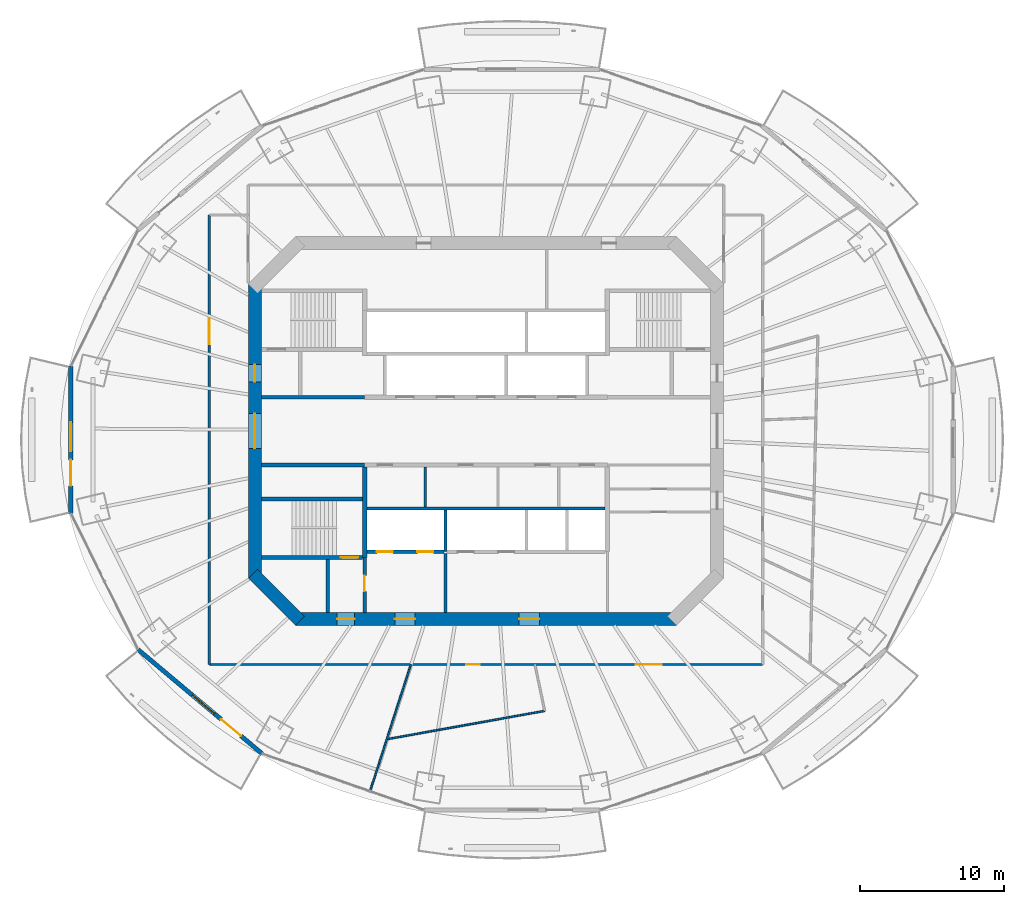
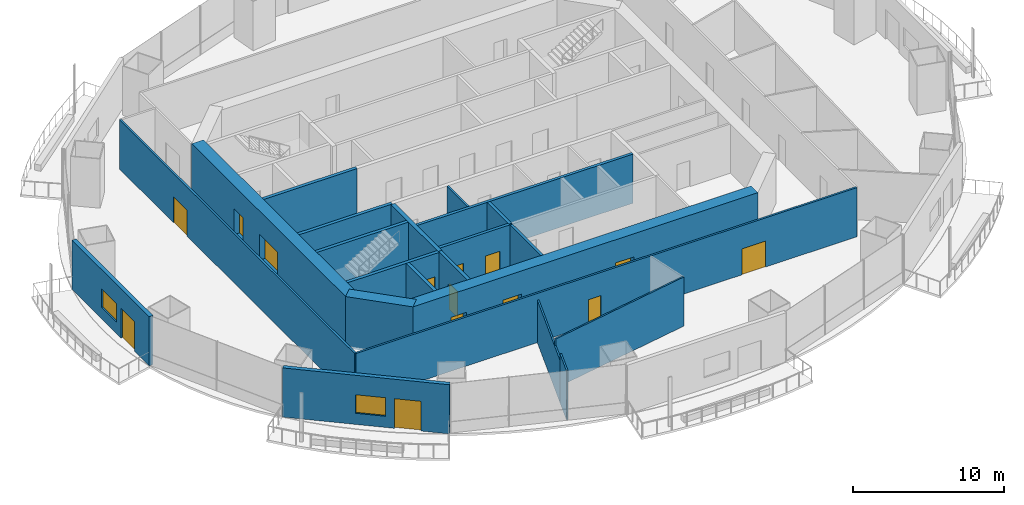
# One storey, part 11 of 20: 22 walls, 14 doors, 2 windows, 16 openings.
"""IFC4 building model written with IfcOpenShell, lengths in metres."""

from ifc_helpers import new_model, si_unit, direction, frame, frame_2d, origin, place, context, subcontext, project, spatial, rectangle, extrude, material, layer, layer_set, type_object, element, fill, save


model = new_model("IFC4")

# Units and contexts
model_context = context("Model", 3, precision=1e-05, world=origin(), true_north=direction((0.0, 1.0)))
body_context = subcontext(model_context, "Body", "Model", "MODEL_VIEW")
ifc_project = project(units=[si_unit("LENGTHUNIT", "METRE"), si_unit("AREAUNIT", "SQUARE_METRE"), si_unit("VOLUMEUNIT", "CUBIC_METRE"), si_unit("PLANEANGLEUNIT", "RADIAN"), si_unit("MASSUNIT", "GRAM", prefix="KILO")], contexts=[model_context])

# Site, building, storey
site_placement = place(None, origin())
site = spatial("IfcSite", under=ifc_project, at=site_placement, CompositionType="ELEMENT")
building_placement = place(site_placement, origin())
building = spatial("IfcBuilding", under=site, at=building_placement, Name="Marenthal Gate Tower", CompositionType="ELEMENT")
storey_placement = place(building_placement, frame((0.0, 0.0, 219.14990234375)))
storey = spatial("IfcBuildingStorey", under=building, at=storey_placement, Name="L48", CompositionType="ELEMENT", Elevation=219.14990234375)

# Wall, openings, doors
ifc_material_1 = material(Name="Concrete 60 MPa", Category="concrete")
ifc_layer_1 = layer(ifc_material_1, 0.89990234375)
ifc_layer_set_1 = layer_set([ifc_layer_1], Name="Core shear wall 900")
wall_type_1 = type_object("IfcWallType", Name="Core shear wall 900", PredefinedType="SHEAR", material=ifc_layer_set_1)
wall_1_placement = place(storey_placement, frame((-16.0, 10.186279296875, -0.179931640625), z_axis=(0.0, 0.0, 1.0), x_axis=(0.0, -1.0, 0.0)))
wall_1 = element("IfcWall", 1, at=wall_1_placement, inside=storey, type_object=wall_type_1, Name="Core wall 06", PredefinedType="SHEAR", context=body_context, shape_type="SweptSolid", body=[
    extrude(rectangle(XDim=20.37255859375, YDim=0.89990234375, at=frame_2d((10.186279296875, 0.0))), origin(), (0.0, 0.0, 1.0), 4.150146484375),
])
opening_1_placement = place(wall_1_placement, frame((8.986328125, 0.0, 0.179931640625)))
opening_1 = element("IfcOpeningElement", 2, at=opening_1_placement, cuts=wall_1, Name="Opening D003.01", PredefinedType="OPENING", context=body_context, shape_type="SweptSolid", body=[
    extrude(rectangle(XDim=2.39990234375, YDim=2.10009765625, at=frame_2d((1.199951171875, 1.050048828125))), frame((0.0, 0.4599609375, 0.0), z_axis=(0.0, -1.0, 0.0), x_axis=(1.0, 0.0, 0.0)), (0.0, 0.0, 1.0), 0.919921875),
])
opening_2_placement = place(wall_1_placement, frame((5.58642578125, 0.0, 0.179931640625)))
opening_2 = element("IfcOpeningElement", 3, at=opening_2_placement, cuts=wall_1, Name="Opening D001.04", PredefinedType="OPENING", context=body_context, shape_type="SweptSolid", body=[
    extrude(rectangle(XDim=1.199951171875, YDim=2.10009765625, at=frame_2d((0.60009765625, 1.050048828125))), frame((0.0, 0.4599609375, 0.0), z_axis=(0.0, -1.0, 0.0), x_axis=(1.0, 0.0, 0.0)), (0.0, 0.0, 1.0), 0.919921875),
])
ifc_material_2 = material(Name="Steel fire door", Category="steel")
door_type_1 = type_object("IfcDoorType", Name="Double fire door FD 45 2400 x 2100", OperationType="DOUBLE_DOOR_SINGLE_SWING", PredefinedType="DOOR", material=ifc_material_2)
door_1_placement = place(opening_1_placement, origin())
door_1 = element("IfcDoor", 4, at=door_1_placement, inside=storey, type_object=door_type_1, Name="Door D003.01", OperationType="DOUBLE_DOOR_SINGLE_SWING", OverallHeight=2.10009765625, OverallWidth=2.39990234375, PredefinedType="DOOR", context=body_context, shape_type="SweptSolid", body=[
    extrude(rectangle(XDim=2.39990234375, YDim=2.10009765625, at=frame_2d((1.199951171875, 1.050048828125))), frame((0.0, 0.02490234375, 0.0), z_axis=(0.0, -1.0, 0.0), x_axis=(1.0, 0.0, 0.0)), (0.0, 0.0, 1.0), 0.050048828125),
])
fill(opening_1, door_1)
ifc_material_3 = material(Name="Steel fire door", Category="steel")
door_type_2 = type_object("IfcDoorType", Name="Fire door FD 90 1200 x 2100", OperationType="NOTDEFINED", PredefinedType="DOOR", material=ifc_material_3)
door_2_placement = place(opening_2_placement, origin())
door_2 = element("IfcDoor", 5, at=door_2_placement, inside=storey, type_object=door_type_2, Name="Door D001.04", OperationType="SINGLE_SWING_RIGHT", OverallHeight=2.10009765625, OverallWidth=1.199951171875, PredefinedType="DOOR", context=body_context, shape_type="SweptSolid", body=[
    extrude(rectangle(XDim=1.199951171875, YDim=2.10009765625, at=frame_2d((0.60009765625, 1.050048828125))), frame((0.0, 0.02490234375, 0.0), z_axis=(0.0, -1.0, 0.0), x_axis=(1.0, 0.0, 0.0)), (0.0, 0.0, 1.0), 0.050048828125),
])
fill(opening_2, door_2)

# Wall
wall_2_placement = place(storey_placement, frame((-16.1318359375, -9.8681640625, -0.179931640625), z_axis=(0.0, 0.0, 1.0), x_axis=(0.707106781187, -0.707106781187, 0.0)))
element("IfcWall", 6, at=wall_2_placement, inside=storey, type_object=wall_type_1, Name="Core wall 07", PredefinedType="SHEAR", context=body_context, shape_type="SweptSolid", body=[
    extrude(rectangle(XDim=4.615478515625, YDim=0.89990234375, at=frame_2d((2.3076171875, 0.0))), origin(), (0.0, 0.0, 1.0), 4.150146484375),
])

# Wall, openings, doors
wall_3_placement = place(storey_placement, frame((-13.186279296875, -13.0, -0.179931640625), z_axis=(0.0, 0.0, 1.0), x_axis=(1.0, 0.0, 0.0)))
wall_3 = element("IfcWall", 7, at=wall_3_placement, inside=storey, type_object=wall_type_1, Name="Core wall 08", PredefinedType="SHEAR", context=body_context, shape_type="SweptSolid", body=[
    extrude(rectangle(XDim=26.37255859375, YDim=0.89990234375, at=frame_2d((13.186279296875, 0.0))), origin(), (0.0, 0.0, 1.0), 4.150146484375),
])
opening_3_placement = place(wall_3_placement, frame((2.886474609375, 0.0, 0.179931640625)))
opening_3 = element("IfcOpeningElement", 8, at=opening_3_placement, cuts=wall_3, Name="Opening D001.06", PredefinedType="OPENING", context=body_context, shape_type="SweptSolid", body=[
    extrude(rectangle(XDim=1.199951171875, YDim=2.10009765625, at=frame_2d((0.60009765625, 1.050048828125))), frame((0.0, 0.4599609375, 0.0), z_axis=(0.0, -1.0, 0.0), x_axis=(1.0, 0.0, 0.0)), (0.0, 0.0, 1.0), 0.919921875),
])
opening_4_placement = place(wall_3_placement, frame((6.886474609375, 0.0, 0.179931640625)))
opening_4 = element("IfcOpeningElement", 9, at=opening_4_placement, cuts=wall_3, Name="Opening D004.01", PredefinedType="OPENING", context=body_context, shape_type="SweptSolid", body=[
    extrude(rectangle(XDim=1.39990234375, YDim=2.10009765625, at=frame_2d((0.699951171875, 1.050048828125))), frame((0.0, 0.4599609375, 0.0), z_axis=(0.0, -1.0, 0.0), x_axis=(1.0, 0.0, 0.0)), (0.0, 0.0, 1.0), 0.919921875),
])
opening_5_placement = place(wall_3_placement, frame((15.486328125, 0.0, 0.179931640625)))
opening_5 = element("IfcOpeningElement", 10, at=opening_5_placement, cuts=wall_3, Name="Opening D004.02", PredefinedType="OPENING", context=body_context, shape_type="SweptSolid", body=[
    extrude(rectangle(XDim=1.39990234375, YDim=2.10009765625, at=frame_2d((0.699951171875, 1.050048828125))), frame((0.0, 0.4599609375, 0.0), z_axis=(0.0, -1.0, 0.0), x_axis=(1.0, 0.0, 0.0)), (0.0, 0.0, 1.0), 0.919921875),
])
ifc_material_4 = material(Name="Steel fire door", Category="steel")
door_type_3 = type_object("IfcDoorType", Name="Fire door FD 45 1400 x 2100", OperationType="NOTDEFINED", PredefinedType="DOOR", material=ifc_material_4)
door_3_placement = place(opening_4_placement, origin())
door_3 = element("IfcDoor", 11, at=door_3_placement, inside=storey, type_object=door_type_3, Name="Door D004.01", OperationType="SINGLE_SWING_RIGHT", OverallHeight=2.10009765625, OverallWidth=1.39990234375, PredefinedType="DOOR", context=body_context, shape_type="SweptSolid", body=[
    extrude(rectangle(XDim=1.39990234375, YDim=2.10009765625, at=frame_2d((0.699951171875, 1.050048828125))), frame((0.0, 0.02490234375, 0.0), z_axis=(0.0, -1.0, 0.0), x_axis=(1.0, 0.0, 0.0)), (0.0, 0.0, 1.0), 0.050048828125),
])
fill(opening_4, door_3)
door_4_placement = place(opening_5_placement, origin())
door_4 = element("IfcDoor", 12, at=door_4_placement, inside=storey, type_object=door_type_3, Name="Door D004.02", OperationType="SINGLE_SWING_RIGHT", OverallHeight=2.10009765625, OverallWidth=1.39990234375, PredefinedType="DOOR", context=body_context, shape_type="SweptSolid", body=[
    extrude(rectangle(XDim=1.39990234375, YDim=2.10009765625, at=frame_2d((0.699951171875, 1.050048828125))), frame((0.0, 0.02490234375, 0.0), z_axis=(0.0, -1.0, 0.0), x_axis=(1.0, 0.0, 0.0)), (0.0, 0.0, 1.0), 0.050048828125),
])
fill(opening_5, door_4)
door_5_placement = place(opening_3_placement, origin())
door_5 = element("IfcDoor", 13, at=door_5_placement, inside=storey, type_object=door_type_2, Name="Door D001.06", OperationType="SINGLE_SWING_RIGHT", OverallHeight=2.10009765625, OverallWidth=1.199951171875, PredefinedType="DOOR", context=body_context, shape_type="SweptSolid", body=[
    extrude(rectangle(XDim=1.199951171875, YDim=2.10009765625, at=frame_2d((0.60009765625, 1.050048828125))), frame((0.0, 0.02490234375, 0.0), z_axis=(0.0, -1.0, 0.0), x_axis=(1.0, 0.0, 0.0)), (0.0, 0.0, 1.0), 0.050048828125),
])
fill(opening_3, door_5)

# Walls
ifc_material_5 = material(Name="Gypsum board on steel studs", Category="steel")
ifc_layer_2 = layer(ifc_material_5, 0.199951171875)
ifc_layer_set_2 = layer_set([ifc_layer_2], Name="Fire lobby wall 200")
wall_type_2 = type_object("IfcWallType", Name="Fire lobby wall 200", PredefinedType="PARTITIONING", material=ifc_layer_set_2)
wall_4_placement = place(storey_placement, frame((-2.800048828125, -12.550048828125, 0.0), z_axis=(0.0, 0.0, 1.0), x_axis=(0.0, 1.0, 0.0)))
element("IfcWall", 14, at=wall_4_placement, inside=storey, type_object=wall_type_2, Name="Fire wall 36", PredefinedType="PARTITIONING", context=body_context, shape_type="SweptSolid", body=[
    extrude(rectangle(XDim=4.090087890625, YDim=0.199951171875, at=frame_2d((2.044921875, 0.0))), origin(), (0.0, 0.0, 1.0), 3.97021484375),
])
ifc_material_6 = material(Name="Concrete 50 MPa", Category="concrete")
ifc_layer_3 = layer(ifc_material_6, 0.300048828125)
ifc_layer_set_3 = layer_set([ifc_layer_3], Name="Hoistway shear wall 300")
wall_type_3 = type_object("IfcWallType", Name="Hoistway shear wall 300", PredefinedType="SHEAR", material=ifc_layer_set_3)
wall_5_placement = place(storey_placement, frame((-8.39990234375, -8.75, -0.179931640625), z_axis=(0.0, 0.0, 1.0), x_axis=(0.0, 1.0, 0.0)))
element("IfcWall", 15, at=wall_5_placement, inside=storey, type_object=wall_type_3, Name="Hoistway wall 31", PredefinedType="SHEAR", context=body_context, shape_type="SweptSolid", body=[
    extrude(rectangle(XDim=6.25, YDim=0.300048828125, at=frame_2d((3.125, 0.0))), origin(), (0.0, 0.0, 1.0), 4.150146484375),
])

# Wall, openings, doors
ifc_material_7 = material(Name="Concrete 40 MPa", Category="concrete")
ifc_layer_4 = layer(ifc_material_7, 0.219970703125)
ifc_layer_set_4 = layer_set([ifc_layer_4], Name="Hoistway wall 220")
wall_type_4 = type_object("IfcWallType", Name="Hoistway wall 220", PredefinedType="STANDARD", material=ifc_layer_set_4)
wall_6_placement = place(storey_placement, frame((-8.25, -8.35009765625, 0.0), z_axis=(0.0, 0.0, 1.0), x_axis=(1.0, 0.0, 0.0)))
wall_6 = element("IfcWall", 16, at=wall_6_placement, inside=storey, type_object=wall_type_4, Name="Hoistway wall 10", PredefinedType="STANDARD", context=body_context, shape_type="SweptSolid", body=[
    extrude(rectangle(XDim=5.340087890625, YDim=0.219970703125, at=frame_2d((2.669921875, 0.0))), origin(), (0.0, 0.0, 1.0), 3.97021484375),
])
opening_6_placement = place(wall_6_placement, frame((0.699951171875, 0.0, 0.0)))
opening_6 = element("IfcOpeningElement", 17, at=opening_6_placement, cuts=wall_6, Name="Opening LD-LF1", PredefinedType="OPENING", context=body_context, shape_type="SweptSolid", body=[
    extrude(rectangle(XDim=1.10009765625, YDim=2.10009765625, at=frame_2d((0.550048828125, 1.050048828125))), frame((0.0, 0.1201171875, 0.0), z_axis=(0.0, -1.0, 0.0), x_axis=(1.0, 0.0, 0.0)), (0.0, 0.0, 1.0), 0.239990234375),
])
opening_7_placement = place(wall_6_placement, frame((3.5, 0.0, 0.0)))
opening_7 = element("IfcOpeningElement", 18, at=opening_7_placement, cuts=wall_6, Name="Opening LD-LF2", PredefinedType="OPENING", context=body_context, shape_type="SweptSolid", body=[
    extrude(rectangle(XDim=1.10009765625, YDim=2.10009765625, at=frame_2d((0.550048828125, 1.050048828125))), frame((0.0, 0.1201171875, 0.0), z_axis=(0.0, -1.0, 0.0), x_axis=(1.0, 0.0, 0.0)), (0.0, 0.0, 1.0), 0.239990234375),
])
ifc_material_8 = material(Name="Stainless steel sliding door", Category="steel")
door_type_4 = type_object("IfcDoorType", Name="Lift landing door FD 90 1100 x 2100", OperationType="DOUBLE_DOOR_SLIDING", PredefinedType="DOOR", material=ifc_material_8)
door_6_placement = place(opening_6_placement, origin())
door_6 = element("IfcDoor", 19, at=door_6_placement, inside=storey, type_object=door_type_4, Name="Lift landing door LF1", OperationType="DOUBLE_DOOR_SLIDING", OverallHeight=2.10009765625, OverallWidth=1.10009765625, PredefinedType="DOOR", context=body_context, shape_type="SweptSolid", body=[
    extrude(rectangle(XDim=1.10009765625, YDim=2.10009765625, at=frame_2d((0.550048828125, 1.050048828125))), frame((0.0, 0.02490234375, 0.0), z_axis=(0.0, -1.0, 0.0), x_axis=(1.0, 0.0, 0.0)), (0.0, 0.0, 1.0), 0.050048828125),
])
fill(opening_6, door_6)
door_7_placement = place(opening_7_placement, origin())
door_7 = element("IfcDoor", 20, at=door_7_placement, inside=storey, type_object=door_type_4, Name="Lift landing door LF2", OperationType="DOUBLE_DOOR_SLIDING", OverallHeight=2.10009765625, OverallWidth=1.10009765625, PredefinedType="DOOR", context=body_context, shape_type="SweptSolid", body=[
    extrude(rectangle(XDim=1.10009765625, YDim=2.10009765625, at=frame_2d((0.550048828125, 1.050048828125))), frame((0.0, 0.02490234375, 0.0), z_axis=(0.0, -1.0, 0.0), x_axis=(1.0, 0.0, 0.0)), (0.0, 0.0, 1.0), 0.050048828125),
])
fill(opening_7, door_7)

# Walls
wall_7_placement = place(storey_placement, frame((-8.25, -5.35009765625, 0.0), z_axis=(0.0, 0.0, 1.0), x_axis=(1.0, 0.0, 0.0)))
element("IfcWall", 21, at=wall_7_placement, inside=storey, type_object=wall_type_4, Name="Hoistway wall 13", PredefinedType="STANDARD", context=body_context, shape_type="SweptSolid", body=[
    extrude(rectangle(XDim=16.5, YDim=0.219970703125, at=frame_2d((8.25, 0.0))), origin(), (0.0, 0.0, 1.0), 3.97021484375),
])
wall_8_placement = place(storey_placement, frame((-2.800048828125, -8.35009765625, 0.0), z_axis=(0.0, 0.0, 1.0), x_axis=(0.0, 1.0, 0.0)))
element("IfcWall", 22, at=wall_8_placement, inside=storey, type_object=wall_type_4, Name="Hoistway wall 37", PredefinedType="STANDARD", context=body_context, shape_type="SweptSolid", body=[
    extrude(rectangle(XDim=2.89013671875, YDim=0.219970703125, at=frame_2d((1.445068359375, 0.0))), origin(), (0.0, 0.0, 1.0), 3.97021484375),
])
ifc_material_9 = material(Name="Gypsum board on steel studs", Category="steel")
ifc_layer_5 = layer(ifc_material_9, 0.1201171875)
ifc_layer_set_5 = layer_set([ifc_layer_5], Name="Partition 120")
wall_type_5 = type_object("IfcWallType", Name="Partition 120", PredefinedType="PARTITIONING", material=ifc_layer_set_5)
wall_9_placement = place(storey_placement, frame((-6.865234375, -21.32666015625, 0.0), z_axis=(0.0, 0.0, 1.0), x_axis=(0.984270324464, 0.176668979676, 0.0)))
element("IfcWall", 23, at=wall_9_placement, inside=storey, type_object=wall_type_5, Name="Partition wall 55", PredefinedType="PARTITIONING", context=body_context, shape_type="SweptSolid", body=[
    extrude(rectangle(XDim=11.100830078125, YDim=0.1201171875, at=frame_2d((5.55029296875, 0.0))), origin(), (0.0, 0.0, 1.0), 3.97021484375),
])
wall_10_placement = place(storey_placement, frame((-5.19873046875, -16.14990234375, 0.0), z_axis=(0.0, 0.0, 1.0), x_axis=(-0.306425554828, -0.951894626179, 0.0)))
element("IfcWall", 24, at=wall_10_placement, inside=storey, type_object=wall_type_5, Name="Partition wall 56", PredefinedType="PARTITIONING", context=body_context, shape_type="SweptSolid", body=[
    extrude(rectangle(XDim=7.19287109375, YDim=0.1201171875, at=frame_2d((3.596435546875, 0.0))), origin(), (0.0, 0.0, 1.0), 3.43408203125),
])
wall_11_placement = place(storey_placement, frame((-7.40283203125, -22.996826171875, 0.0), z_axis=(0.0, 0.0, 1.0), x_axis=(-0.306407294312, -0.95190050425, 0.0)))
element("IfcWall", 25, at=wall_11_placement, inside=storey, type_object=wall_type_5, Name="Partition wall 69", PredefinedType="PARTITIONING", context=body_context, shape_type="SweptSolid", body=[
    extrude(rectangle(XDim=2.024658203125, YDim=0.1201171875, at=frame_2d((1.01220703125, 0.0))), origin(), (0.0, 0.0, 1.0), 3.97021484375),
])
ifc_material_10 = material(Name="Gypsum board on steel studs", Category="steel")
ifc_layer_6 = layer(ifc_material_10, 0.14990234375)
ifc_layer_set_6 = layer_set([ifc_layer_6], Name="Partition 150")
wall_type_6 = type_object("IfcWallType", Name="Partition 150", PredefinedType="PARTITIONING", material=ifc_layer_set_6)
wall_12_placement = place(storey_placement, frame((-4.199951171875, -5.239990234375, 0.0), z_axis=(0.0, 0.0, 1.0), x_axis=(0.0, 1.0, 0.0)))
element("IfcWall", 26, at=wall_12_placement, inside=storey, type_object=wall_type_6, Name="Partition wall 35", PredefinedType="PARTITIONING", context=body_context, shape_type="SweptSolid", body=[
    extrude(rectangle(XDim=2.739990234375, YDim=0.14990234375, at=frame_2d((1.3701171875, 0.0))), origin(), (0.0, 0.0, 1.0), 3.97021484375),
])

# Wall, opening, door
wall_13_placement = place(storey_placement, frame((-19.14990234375, -16.14990234375, 0.0), z_axis=(0.0, 0.0, 1.0), x_axis=(0.0, 1.0, 0.0)))
wall_13 = element("IfcWall", 27, at=wall_13_placement, inside=storey, type_object=wall_type_6, Name="Partition wall 51", PredefinedType="PARTITIONING", context=body_context, shape_type="SweptSolid", body=[
    extrude(rectangle(XDim=31.114013671875, YDim=0.14990234375, at=frame_2d((15.55712890625, 0.0))), origin(), (0.0, 0.0, 1.0), 3.97021484375),
])
opening_8_placement = place(wall_13_placement, frame((22.166015625, 0.0, 0.0)))
opening_8 = element("IfcOpeningElement", 28, at=opening_8_placement, cuts=wall_13, Name="Opening D014.01", PredefinedType="OPENING", context=body_context, shape_type="SweptSolid", body=[
    extrude(rectangle(XDim=1.800048828125, YDim=2.10009765625, at=frame_2d((0.89990234375, 1.050048828125))), frame((0.0, 0.0849609375, 0.0), z_axis=(0.0, -1.0, 0.0), x_axis=(1.0, 0.0, 0.0)), (0.0, 0.0, 1.0), 0.169921875),
])
ifc_material_11 = material(Name="Timber door", Category="wood")
door_type_5 = type_object("IfcDoorType", Name="Double door 1800 x 2100", OperationType="DOUBLE_DOOR_SINGLE_SWING", PredefinedType="DOOR", material=ifc_material_11)
door_8_placement = place(opening_8_placement, origin())
door_8 = element("IfcDoor", 29, at=door_8_placement, inside=storey, type_object=door_type_5, Name="Door D014.01", OperationType="DOUBLE_DOOR_SINGLE_SWING", OverallHeight=2.10009765625, OverallWidth=1.800048828125, PredefinedType="DOOR", context=body_context, shape_type="SweptSolid", body=[
    extrude(rectangle(XDim=1.800048828125, YDim=2.10009765625, at=frame_2d((0.89990234375, 1.050048828125))), frame((0.0, 0.02490234375, 0.0), z_axis=(0.0, -1.0, 0.0), x_axis=(1.0, 0.0, 0.0)), (0.0, 0.0, 1.0), 0.050048828125),
])
fill(opening_8, door_8)

# Wall, openings, doors
wall_14_placement = place(storey_placement, frame((19.14990234375, -16.14990234375, 0.0), z_axis=(0.0, 0.0, 1.0), x_axis=(-1.0, 0.0, 0.0)))
wall_14 = element("IfcWall", 30, at=wall_14_placement, inside=storey, type_object=wall_type_6, Name="Partition wall 60", PredefinedType="PARTITIONING", context=body_context, shape_type="SweptSolid", body=[
    extrude(rectangle(XDim=38.2998046875, YDim=0.14990234375, at=frame_2d((19.14990234375, 0.0))), origin(), (0.0, 0.0, 1.0), 3.97021484375),
])
opening_9_placement = place(wall_14_placement, frame((19.5810546875, 0.0, 0.0)))
opening_9 = element("IfcOpeningElement", 31, at=opening_9_placement, cuts=wall_14, Name="Opening D016.01", PredefinedType="OPENING", context=body_context, shape_type="SweptSolid", body=[
    extrude(rectangle(XDim=0.949951171875, YDim=2.10009765625, at=frame_2d((0.47509765625, 1.050048828125))), frame((0.0, 0.0849609375, 0.0), z_axis=(0.0, -1.0, 0.0), x_axis=(1.0, 0.0, 0.0)), (0.0, 0.0, 1.0), 0.169921875),
])
opening_10_placement = place(wall_14_placement, frame((6.98095703125, 0.0, 0.0)))
opening_10 = element("IfcOpeningElement", 32, at=opening_10_placement, cuts=wall_14, Name="Opening D014.02", PredefinedType="OPENING", context=body_context, shape_type="SweptSolid", body=[
    extrude(rectangle(XDim=1.800048828125, YDim=2.10009765625, at=frame_2d((0.89990234375, 1.050048828125))), frame((0.0, 0.0849609375, 0.0), z_axis=(0.0, -1.0, 0.0), x_axis=(1.0, 0.0, 0.0)), (0.0, 0.0, 1.0), 0.169921875),
])
ifc_material_12 = material(Name="Timber door", Category="wood")
door_type_6 = type_object("IfcDoorType", Name="Door 950 x 2100", OperationType="NOTDEFINED", PredefinedType="DOOR", material=ifc_material_12)
door_9_placement = place(opening_9_placement, origin())
door_9 = element("IfcDoor", 33, at=door_9_placement, inside=storey, type_object=door_type_6, Name="Door D016.01", OperationType="SINGLE_SWING_RIGHT", OverallHeight=2.10009765625, OverallWidth=0.949951171875, PredefinedType="DOOR", context=body_context, shape_type="SweptSolid", body=[
    extrude(rectangle(XDim=0.949951171875, YDim=2.10009765625, at=frame_2d((0.47509765625, 1.050048828125))), frame((0.0, 0.02490234375, 0.0), z_axis=(0.0, -1.0, 0.0), x_axis=(1.0, 0.0, 0.0)), (0.0, 0.0, 1.0), 0.050048828125),
])
fill(opening_9, door_9)
door_10_placement = place(opening_10_placement, origin())
door_10 = element("IfcDoor", 34, at=door_10_placement, inside=storey, type_object=door_type_5, Name="Door D014.02", OperationType="DOUBLE_DOOR_SINGLE_SWING", OverallHeight=2.10009765625, OverallWidth=1.800048828125, PredefinedType="DOOR", context=body_context, shape_type="SweptSolid", body=[
    extrude(rectangle(XDim=1.800048828125, YDim=2.10009765625, at=frame_2d((0.89990234375, 1.050048828125))), frame((0.0, 0.02490234375, 0.0), z_axis=(0.0, -1.0, 0.0), x_axis=(1.0, 0.0, 0.0)), (0.0, 0.0, 1.0), 0.050048828125),
])
fill(opening_10, door_10)

# Walls
ifc_material_13 = material(Name="Concrete 40 MPa", Category="concrete")
ifc_layer_7 = layer(ifc_material_13, 0.25)
ifc_layer_set_7 = layer_set([ifc_layer_7], Name="Stair enclosure wall 250")
wall_type_7 = type_object("IfcWallType", Name="Stair enclosure wall 250", PredefinedType="STANDARD", material=ifc_layer_set_7)
for number, where, z_axis, x_axis, name in (
    (35, (-15.550048828125, -2.35009765625, 0.0), (0.0, 0.0, 1.0), (1.0, 0.0, 0.0), "Stair wall 16"),
    (36, (-15.550048828125, 2.35009765625, 0.0), (0.0, 0.0, 1.0), (1.0, 0.0, 0.0), "Stair wall 19"),
):
    element("IfcWall", number, at=place(storey_placement, frame(where, z_axis=z_axis, x_axis=x_axis)), inside=storey, type_object=wall_type_7, Name=name, PredefinedType="STANDARD", context=body_context, shape_type="SweptSolid", body=[
        extrude(rectangle(XDim=7.150146484375, YDim=0.25, at=frame_2d((3.5751953125, 0.0))), origin(), (0.0, 0.0, 1.0), 3.97021484375),
    ])
wall_15_placement = place(storey_placement, frame((-10.949951171875, -12.550048828125, 0.0), z_axis=(0.0, 0.0, 1.0), x_axis=(0.0, 1.0, 0.0)))
element("IfcWall", 37, at=wall_15_placement, inside=storey, type_object=wall_type_7, Name="Stair wall 29", PredefinedType="STANDARD", context=body_context, shape_type="SweptSolid", body=[
    extrude(rectangle(XDim=3.675048828125, YDim=0.25, at=frame_2d((1.83740234375, 0.0))), origin(), (0.0, 0.0, 1.0), 3.97021484375),
])

# Wall, opening, door
wall_16_placement = place(storey_placement, frame((-8.39990234375, -12.550048828125, 0.0), z_axis=(0.0, 0.0, 1.0), x_axis=(0.0, 1.0, 0.0)))
wall_16 = element("IfcWall", 38, at=wall_16_placement, inside=storey, type_object=wall_type_7, Name="Stair wall 30", PredefinedType="STANDARD", context=body_context, shape_type="SweptSolid", body=[
    extrude(rectangle(XDim=3.800048828125, YDim=0.25, at=frame_2d((1.89990234375, 0.0))), origin(), (0.0, 0.0, 1.0), 3.97021484375),
])
opening_11_placement = place(wall_16_placement, frame((1.449951171875, 0.0, 0.0)))
opening_11 = element("IfcOpeningElement", 39, at=opening_11_placement, cuts=wall_16, Name="Opening D002.01", PredefinedType="OPENING", context=body_context, shape_type="SweptSolid", body=[
    extrude(rectangle(XDim=1.10009765625, YDim=2.10009765625, at=frame_2d((0.550048828125, 1.050048828125))), frame((0.0, 0.135009765625, 0.0), z_axis=(0.0, -1.0, 0.0), x_axis=(1.0, 0.0, 0.0)), (0.0, 0.0, 1.0), 0.27001953125),
])
ifc_material_14 = material(Name="Steel fire door", Category="steel")
door_type_7 = type_object("IfcDoorType", Name="Fire door FD 90 1100 x 2100", OperationType="NOTDEFINED", PredefinedType="DOOR", material=ifc_material_14)
door_11_placement = place(opening_11_placement, origin())
door_11 = element("IfcDoor", 40, at=door_11_placement, inside=storey, type_object=door_type_7, Name="Door D002.01", OperationType="SINGLE_SWING_RIGHT", OverallHeight=2.10009765625, OverallWidth=1.10009765625, PredefinedType="DOOR", context=body_context, shape_type="SweptSolid", body=[
    extrude(rectangle(XDim=1.10009765625, YDim=2.10009765625, at=frame_2d((0.550048828125, 1.050048828125))), frame((0.0, 0.02490234375, 0.0), z_axis=(0.0, -1.0, 0.0), x_axis=(1.0, 0.0, 0.0)), (0.0, 0.0, 1.0), 0.050048828125),
])
fill(opening_11, door_11)

ifc_material_15 = material(Name="Concrete 50 MPa", Category="concrete")
ifc_layer_8 = layer(ifc_material_15, 0.25)
ifc_layer_set_8 = layer_set([ifc_layer_8], Name="Stair shear wall 250")
wall_type_8 = type_object("IfcWallType", Name="Stair shear wall 250", PredefinedType="SHEAR", material=ifc_layer_set_8)
wall_17_placement = place(storey_placement, frame((-15.550048828125, -8.75, -0.179931640625), z_axis=(0.0, 0.0, 1.0), x_axis=(1.0, 0.0, 0.0)))
wall_17 = element("IfcWall", 41, at=wall_17_placement, inside=storey, type_object=wall_type_8, Name="Stair wall 09", PredefinedType="SHEAR", context=body_context, shape_type="SweptSolid", body=[
    extrude(rectangle(XDim=7.0, YDim=0.25, at=frame_2d((3.5, 0.0))), origin(), (0.0, 0.0, 1.0), 4.150146484375),
])
opening_12_placement = place(wall_17_placement, frame((5.5, 0.0, 0.179931640625)))
opening_12 = element("IfcOpeningElement", 42, at=opening_12_placement, cuts=wall_17, Name="Opening D001.03", PredefinedType="OPENING", context=body_context, shape_type="SweptSolid", body=[
    extrude(rectangle(XDim=1.199951171875, YDim=2.10009765625, at=frame_2d((0.60009765625, 1.050048828125))), frame((0.0, 0.135009765625, 0.0), z_axis=(0.0, -1.0, 0.0), x_axis=(1.0, 0.0, 0.0)), (0.0, 0.0, 1.0), 0.27001953125),
])
door_12_placement = place(opening_12_placement, origin())
door_12 = element("IfcDoor", 43, at=door_12_placement, inside=storey, type_object=door_type_2, Name="Door D001.03", OperationType="SINGLE_SWING_RIGHT", OverallHeight=2.10009765625, OverallWidth=1.199951171875, PredefinedType="DOOR", context=body_context, shape_type="SweptSolid", body=[
    extrude(rectangle(XDim=1.199951171875, YDim=2.10009765625, at=frame_2d((0.60009765625, 1.050048828125))), frame((0.0, 0.02490234375, 0.0), z_axis=(0.0, -1.0, 0.0), x_axis=(1.0, 0.0, 0.0)), (0.0, 0.0, 1.0), 0.050048828125),
])
fill(opening_12, door_12)

# Wall
wall_18_placement = place(storey_placement, frame((-15.550048828125, -4.699951171875, -0.179931640625), z_axis=(0.0, 0.0, 1.0), x_axis=(1.0, 0.0, 0.0)))
element("IfcWall", 44, at=wall_18_placement, inside=storey, type_object=wall_type_8, Name="Stair wall 14", PredefinedType="SHEAR", context=body_context, shape_type="SweptSolid", body=[
    extrude(rectangle(XDim=7.0, YDim=0.25, at=frame_2d((3.5, 0.0))), origin(), (0.0, 0.0, 1.0), 4.150146484375),
])

# Wall, openings, door, window
ifc_material_16 = material(Name="Terracotta cladding on insulated concrete-block backing", Category="masonry")
ifc_layer_9 = layer(ifc_material_16, 0.300048828125)
ifc_layer_set_9 = layer_set([ifc_layer_9], Name="Terracotta facade wall 300")
wall_type_9 = type_object("IfcWallType", Name="Terracotta facade wall 300", PredefinedType="SOLIDWALL", material=ifc_layer_set_9)
wall_19_placement = place(storey_placement, frame((-28.731689453125, 4.497802734375, 0.0), z_axis=(0.0, 0.0, 1.0), x_axis=(0.0, -1.0, 0.0)))
wall_19 = element("IfcWall", 45, at=wall_19_placement, inside=storey, type_object=wall_type_9, Name="Terracotta facade wall L48 bay 8", PredefinedType="SOLIDWALL", context=body_context, shape_type="SweptSolid", body=[
    extrude(rectangle(XDim=10.195556640625, YDim=0.300048828125, at=frame_2d((5.09765625, 0.0))), origin(), (0.0, 0.0, 1.0), 3.97021484375),
])
opening_13_placement = place(wall_19_placement, frame((6.495361328125, 0.0, 0.0)))
opening_13 = element("IfcOpeningElement", 46, at=opening_13_placement, cuts=wall_19, Name="Opening BD-L48-08", PredefinedType="OPENING", context=body_context, shape_type="SweptSolid", body=[
    extrude(rectangle(XDim=1.800048828125, YDim=2.39990234375, at=frame_2d((0.89990234375, 1.199951171875))), frame((0.0, 0.16015625, 0.0), z_axis=(0.0, -1.0, 0.0), x_axis=(1.0, 0.0, 0.0)), (0.0, 0.0, 1.0), 0.320068359375),
])
opening_14_placement = place(wall_19_placement, frame((3.8955078125, 0.0, 0.89990234375)))
opening_14 = element("IfcOpeningElement", 47, at=opening_14_placement, cuts=wall_19, Name="Opening WN2-L48-08", PredefinedType="OPENING", context=body_context, shape_type="SweptSolid", body=[
    extrude(rectangle(XDim=2.0, YDim=1.5, at=frame_2d((1.0, 0.75))), frame((0.0, 0.16015625, 0.0), z_axis=(0.0, -1.0, 0.0), x_axis=(1.0, 0.0, 0.0)), (0.0, 0.0, 1.0), 0.320068359375),
])
ifc_material_17 = material(Name="Aluminium and glass", Category="aluminium")
door_type_8 = type_object("IfcDoorType", Name="Balcony door 1800x2400", OperationType="DOUBLE_DOOR_SINGLE_SWING", PredefinedType="DOOR", material=ifc_material_17)
door_13_placement = place(opening_13_placement, origin())
door_13 = element("IfcDoor", 48, at=door_13_placement, inside=storey, type_object=door_type_8, Name="Balcony door L48 bay 8", OperationType="SINGLE_SWING_LEFT", OverallHeight=2.39990234375, OverallWidth=1.800048828125, PredefinedType="DOOR", context=body_context, shape_type="SweptSolid", body=[
    extrude(rectangle(XDim=1.800048828125, YDim=2.39990234375, at=frame_2d((0.89990234375, 1.199951171875))), frame((0.0, 0.02490234375, 0.0), z_axis=(0.0, -1.0, 0.0), x_axis=(1.0, 0.0, 0.0)), (0.0, 0.0, 1.0), 0.050048828125),
])
fill(opening_13, door_13)
ifc_material_18 = material(Name="Aluminium and glass", Category="aluminium")
window_type = type_object("IfcWindowType", Name="Window 2000x1500", PartitioningType="DOUBLE_PANEL_VERTICAL", PredefinedType="WINDOW", material=ifc_material_18)
window_1_placement = place(opening_14_placement, origin())
window_1 = element("IfcWindow", 49, at=window_1_placement, inside=storey, type_object=window_type, Name="Window L48 bay 8", OverallHeight=1.5, OverallWidth=2.0, PartitioningType="SINGLE_PANEL", PredefinedType="WINDOW", context=body_context, shape_type="SweptSolid", body=[
    extrude(rectangle(XDim=2.0, YDim=1.5, at=frame_2d((1.0, 0.75))), frame((0.0, 0.030029296875, 0.0), z_axis=(0.0, -1.0, 0.0), x_axis=(1.0, 0.0, 0.0)), (0.0, 0.0, 1.0), 0.06005859375),
])
fill(opening_14, window_1)

wall_20_placement = place(storey_placement, frame((-24.08349609375, -15.1171875, 0.0), z_axis=(0.0, 0.0, 1.0), x_axis=(0.765944577674, -0.642906605917, 0.0)))
wall_20 = element("IfcWall", 50, at=wall_20_placement, inside=storey, type_object=wall_type_9, Name="Terracotta facade wall L48 bay 10", PredefinedType="SOLIDWALL", context=body_context, shape_type="SweptSolid", body=[
    extrude(rectangle(XDim=11.213134765625, YDim=0.300048828125, at=frame_2d((5.6064453125, 0.0))), origin(), (0.0, 0.0, 1.0), 3.97021484375),
])
opening_15_placement = place(wall_20_placement, frame((7.51318359375, 0.0, 0.0)))
opening_15 = element("IfcOpeningElement", 51, at=opening_15_placement, cuts=wall_20, Name="Opening BD-L48-10", PredefinedType="OPENING", context=body_context, shape_type="SweptSolid", body=[
    extrude(rectangle(XDim=1.800048828125, YDim=2.39990234375, at=frame_2d((0.89990234375, 1.199951171875))), frame((0.0, 0.16015625, 0.0), z_axis=(0.0, -1.0, 0.0), x_axis=(1.0, 0.0, 0.0)), (0.0, 0.0, 1.0), 0.320068359375),
])
opening_16_placement = place(wall_20_placement, frame((4.913330078125, 0.0, 0.89990234375)))
opening_16 = element("IfcOpeningElement", 52, at=opening_16_placement, cuts=wall_20, Name="Opening WN2-L48-10", PredefinedType="OPENING", context=body_context, shape_type="SweptSolid", body=[
    extrude(rectangle(XDim=2.0, YDim=1.5, at=frame_2d((1.0, 0.75))), frame((0.0, 0.16015625, 0.0), z_axis=(0.0, -1.0, 0.0), x_axis=(1.0, 0.0, 0.0)), (0.0, 0.0, 1.0), 0.320068359375),
])
door_14_placement = place(opening_15_placement, origin())
door_14 = element("IfcDoor", 53, at=door_14_placement, inside=storey, type_object=door_type_8, Name="Balcony door L48 bay 10", OperationType="SINGLE_SWING_LEFT", OverallHeight=2.39990234375, OverallWidth=1.800048828125, PredefinedType="DOOR", context=body_context, shape_type="SweptSolid", body=[
    extrude(rectangle(XDim=1.800048828125, YDim=2.39990234375, at=frame_2d((0.89990234375, 1.199951171875))), frame((0.0, 0.02490234375, 0.0), z_axis=(0.0, -1.0, 0.0), x_axis=(1.0, 0.0, 0.0)), (0.0, 0.0, 1.0), 0.050048828125),
])
fill(opening_15, door_14)
window_2_placement = place(opening_16_placement, origin())
window_2 = element("IfcWindow", 54, at=window_2_placement, inside=storey, type_object=window_type, Name="Window L48 bay 10", OverallHeight=1.5, OverallWidth=2.0, PartitioningType="SINGLE_PANEL", PredefinedType="WINDOW", context=body_context, shape_type="SweptSolid", body=[
    extrude(rectangle(XDim=2.0, YDim=1.5, at=frame_2d((1.0, 0.75))), frame((0.0, 0.030029296875, 0.0), z_axis=(0.0, -1.0, 0.0), x_axis=(1.0, 0.0, 0.0)), (0.0, 0.0, 1.0), 0.06005859375),
])
fill(opening_16, window_2)

save(model, "model.ifc")
